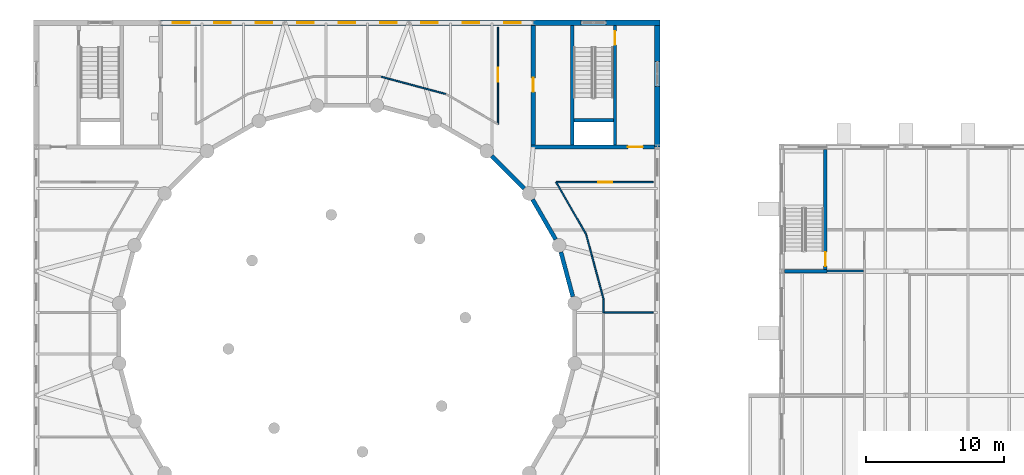
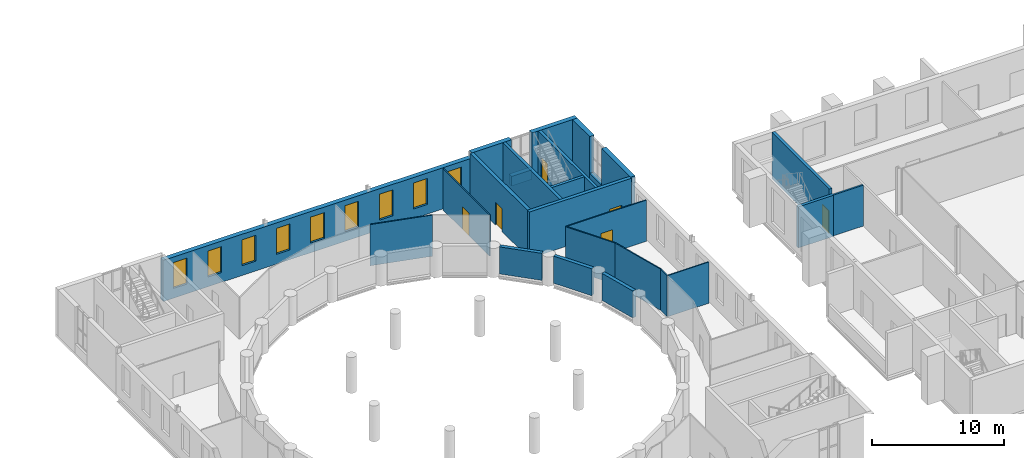
# One storey, part 86 of 134: 25 walls, 9 windows, 6 doors, 15 openings.
"""IFC4 building model written with IfcOpenShell, lengths in metres."""

from ifc_helpers import new_model, si_unit, direction, frame, frame_2d, origin, place, context, subcontext, project, spatial, rectangle, extrude, material, layer, layer_set, type_object, element, fill, save


model = new_model("IFC4")

# Units and contexts
model_context = context("Model", 3, precision=1e-05, world=origin(), true_north=direction((0.0, 1.0)))
body_context = subcontext(model_context, "Body", "Model", "MODEL_VIEW")
ifc_project = project(units=[si_unit("LENGTHUNIT", "METRE"), si_unit("AREAUNIT", "SQUARE_METRE"), si_unit("VOLUMEUNIT", "CUBIC_METRE"), si_unit("PLANEANGLEUNIT", "RADIAN"), si_unit("MASSUNIT", "GRAM", prefix="KILO")], contexts=[model_context])

# Site, building, storey
site_placement = place(None, origin())
site = spatial("IfcSite", under=ifc_project, at=site_placement, CompositionType="ELEMENT")
building_placement = place(site_placement, origin())
building = spatial("IfcBuilding", under=site, at=building_placement, Name="Golden Quay Civic Hall", CompositionType="ELEMENT")
storey_placement = place(building_placement, frame((0.0, 0.0, 5.39990234375)))
storey = spatial("IfcBuildingStorey", under=building, at=storey_placement, Name="L01", CompositionType="ELEMENT", Elevation=5.39990234375)

# Wall, opening, door
ifc_material_1 = material(Name="Concrete C40/50", Category="concrete")
ifc_layer_1 = layer(ifc_material_1, 0.25)
ifc_layer_set_1 = layer_set([ifc_layer_1], Name="Concrete core wall 250, Concrete C40/50")
wall_type_1 = type_object("IfcWallType", Name="Concrete core wall 250", PredefinedType="SHEAR", material=ifc_layer_set_1)
wall_1_placement = place(storey_placement, frame((120.175048828125, 90.125, 0.0), z_axis=(0.0, 0.0, 1.0), x_axis=(0.0, 1.0, 0.0)))
wall_1 = element("IfcWall", 1, at=wall_1_placement, inside=storey, type_object=wall_type_1, Name="L01 core wall N stair east", PredefinedType="SHEAR", context=body_context, shape_type="SweptSolid", body=[
    extrude(rectangle(XDim=8.675048828125, YDim=0.25, at=frame_2d((4.33740234375, 0.0))), origin(), (0.0, 0.0, 1.0), 4.300048828125),
])
opening_1_placement = place(wall_1_placement, frame((0.25, 0.0, 0.0)))
opening_1 = element("IfcOpeningElement", 2, at=opening_1_placement, cuts=wall_1, Name="Opening L01-D222", PredefinedType="OPENING", context=body_context, shape_type="SweptSolid", body=[
    extrude(rectangle(XDim=1.0, YDim=2.10009765625, at=frame_2d((0.5, 1.050048828125))), frame((0.0, 0.135009765625, 0.0), z_axis=(0.0, -1.0, 0.0), x_axis=(1.0, 0.0, 0.0)), (0.0, 0.0, 1.0), 0.27001953125),
])
ifc_material_2 = material(Name="Steel", Category="steel")
door_type_1 = type_object("IfcDoorType", Name="Steel fire door FD60 1000 x 2100", OperationType="SINGLE_SWING_LEFT", PredefinedType="DOOR", material=ifc_material_2)
door_1_placement = place(opening_1_placement, frame((1.0, 0.0, 0.0), z_axis=(0.0, 0.0, 1.0), x_axis=(-1.0, 0.0, 0.0)))
door_1 = element("IfcDoor", 3, at=door_1_placement, inside=storey, type_object=door_type_1, Name="Stair door LB-N", OperationType="SINGLE_SWING_RIGHT", OverallHeight=2.10009765625, OverallWidth=1.0, PredefinedType="DOOR", context=body_context, shape_type="SweptSolid", body=[
    extrude(rectangle(XDim=1.0, YDim=2.10009765625, at=frame_2d((0.5, 1.050048828125))), frame((0.0, 0.025146484375, 0.0), z_axis=(0.0, -1.0, 0.0), x_axis=(1.0, 0.0, 0.0)), (0.0, 0.0, 1.0), 0.050048828125),
])
fill(opening_1, door_1)

# Walls
wall_2_placement = place(storey_placement, frame((117.199951171875, 90.0, 0.0), z_axis=(0.0, 0.0, 1.0), x_axis=(1.0, 0.0, 0.0)))
element("IfcWall", 4, at=wall_2_placement, inside=storey, type_object=wall_type_1, Name="L01 core wall N stair south", PredefinedType="SHEAR", context=body_context, shape_type="SweptSolid", body=[
    extrude(rectangle(XDim=3.10009765625, YDim=0.25, at=frame_2d((1.550048828125, 0.0))), origin(), (0.0, 0.0, 1.0), 3.800048828125),
])
ifc_material_3 = material(Name="Plasterboard on steel studs", Category="steel")
ifc_layer_2 = layer(ifc_material_3, 0.10009765625)
ifc_layer_set_2 = layer_set([ifc_layer_2], Name="Partition 100 stud")
wall_type_2 = type_object("IfcWallType", Name="Partition 100 stud", PredefinedType="PARTITIONING", material=ifc_layer_set_2)
wall_3_placement = place(storey_placement, frame((107.679931640625, 87.0, 0.0), z_axis=(0.0, 0.0, 1.0), x_axis=(-1.0, 0.0, 0.0)))
element("IfcWall", 5, at=wall_3_placement, inside=storey, type_object=wall_type_2, Name="Partition 35", PredefinedType="PARTITIONING", context=body_context, shape_type="SweptSolid", body=[
    extrude(rectangle(XDim=3.579833984375, YDim=0.10009765625, at=frame_2d((1.7900390625, 0.0))), origin(), (0.0, 0.0, 1.0), 3.81005859375),
])
ifc_material_4 = material(Name="Gypsum board on steel stud", Category="steel")
ifc_layer_3 = layer(ifc_material_4, 0.10009765625)
ifc_layer_set_3 = layer_set([ifc_layer_3], Name="Partition 100 stud fire EI 60")
wall_type_3 = type_object("IfcWallType", Name="Partition 100 stud fire EI 60", PredefinedType="PARTITIONING", material=ifc_layer_set_3)
wall_4_placement = place(storey_placement, frame((87.94873046875, 104.10009765625, 0.0), z_axis=(0.0, 0.0, 1.0), x_axis=(0.965923128678, -0.258829112515, 0.0)))
element("IfcWall", 6, at=wall_4_placement, inside=storey, type_object=wall_type_3, Name="Partition 29", PredefinedType="PARTITIONING", context=body_context, shape_type="SweptSolid", body=[
    extrude(rectangle(XDim=4.8974609375, YDim=0.10009765625, at=frame_2d((2.44873046875, 0.0))), origin(), (0.0, 0.0, 1.0), 3.81005859375),
])

# Wall, opening, door
wall_5_placement = place(storey_placement, frame((96.449951171875, 100.655517578125, 0.0), z_axis=(0.0, 0.0, 1.0), x_axis=(0.0, 1.0, 0.0)))
wall_5 = element("IfcWall", 7, at=wall_5_placement, inside=storey, type_object=wall_type_3, Name="Partition 31", PredefinedType="PARTITIONING", context=body_context, shape_type="SweptSolid", body=[
    extrude(rectangle(XDim=7.0244140625, YDim=0.10009765625, at=frame_2d((3.51220703125, 0.0))), origin(), (0.0, 0.0, 1.0), 3.81005859375),
])
opening_2_placement = place(wall_5_placement, frame((3.072265625, 0.0, 0.0)))
opening_2 = element("IfcOpeningElement", 8, at=opening_2_placement, cuts=wall_5, Name="Opening L01-D185", PredefinedType="OPENING", context=body_context, shape_type="SweptSolid", body=[
    extrude(rectangle(XDim=1.0, YDim=2.10009765625, at=frame_2d((0.5, 1.050048828125))), frame((0.0, 0.06005859375, 0.0), z_axis=(0.0, -1.0, 0.0), x_axis=(1.0, 0.0, 0.0)), (0.0, 0.0, 1.0), 0.1201171875),
])
ifc_material_5 = material(Name="Timber", Category="wood")
door_type_2 = type_object("IfcDoorType", Name="Timber fire door FD30S 1000 x 2100", OperationType="SINGLE_SWING_LEFT", PredefinedType="DOOR", material=ifc_material_5)
door_2_placement = place(opening_2_placement, origin())
door_2 = element("IfcDoor", 9, at=door_2_placement, inside=storey, type_object=door_type_2, Name="Door Large Committee Room 2", OperationType="SINGLE_SWING_LEFT", OverallHeight=2.10009765625, OverallWidth=1.0, PredefinedType="DOOR", context=body_context, shape_type="SweptSolid", body=[
    extrude(rectangle(XDim=1.0, YDim=2.10009765625, at=frame_2d((0.5, 1.050048828125))), frame((0.0, 0.02490234375, 0.0), z_axis=(0.0, -1.0, 0.0), x_axis=(1.0, 0.0, 0.0)), (0.0, 0.0, 1.0), 0.050048828125),
])
fill(opening_2, door_2)

wall_6_placement = place(storey_placement, frame((107.679931640625, 96.449951171875, 0.0), z_axis=(0.0, 0.0, 1.0), x_axis=(-1.0, 0.0, 0.0)))
wall_6 = element("IfcWall", 10, at=wall_6_placement, inside=storey, type_object=wall_type_3, Name="Partition 39", PredefinedType="PARTITIONING", context=body_context, shape_type="SweptSolid", body=[
    extrude(rectangle(XDim=7.0244140625, YDim=0.10009765625, at=frame_2d((3.51220703125, 0.0))), origin(), (0.0, 0.0, 1.0), 3.81005859375),
])
opening_3_placement = place(wall_6_placement, frame((2.952392578125, 0.0, 0.0)))
opening_3 = element("IfcOpeningElement", 11, at=opening_3_placement, cuts=wall_6, Name="Opening L01-D188", PredefinedType="OPENING", context=body_context, shape_type="SweptSolid", body=[
    extrude(rectangle(XDim=1.0, YDim=2.10009765625, at=frame_2d((0.5, 1.050048828125))), frame((0.0, 0.06005859375, 0.0), z_axis=(0.0, -1.0, 0.0), x_axis=(1.0, 0.0, 0.0)), (0.0, 0.0, 1.0), 0.1201171875),
])
door_3_placement = place(opening_3_placement, origin())
door_3 = element("IfcDoor", 12, at=door_3_placement, inside=storey, type_object=door_type_2, Name="Door Chamber Clerks' Office 4", OperationType="SINGLE_SWING_LEFT", OverallHeight=2.10009765625, OverallWidth=1.0, PredefinedType="DOOR", context=body_context, shape_type="SweptSolid", body=[
    extrude(rectangle(XDim=1.0, YDim=2.10009765625, at=frame_2d((0.5, 1.050048828125))), frame((0.0, 0.02490234375, 0.0), z_axis=(0.0, -1.0, 0.0), x_axis=(1.0, 0.0, 0.0)), (0.0, 0.0, 1.0), 0.050048828125),
])
fill(opening_3, door_3)

# Walls
wall_7_placement = place(storey_placement, frame((100.655517578125, 96.449951171875, 0.0), z_axis=(0.0, 0.0, 1.0), x_axis=(0.499992644437, -0.866029650479, 0.0)))
element("IfcWall", 13, at=wall_7_placement, inside=storey, type_object=wall_type_3, Name="Partition 40", PredefinedType="PARTITIONING", context=body_context, shape_type="SweptSolid", body=[
    extrude(rectangle(XDim=4.35400390625, YDim=0.10009765625, at=frame_2d((2.177001953125, 0.0))), origin(), (0.0, 0.0, 1.0), 3.81005859375),
])
wall_8_placement = place(storey_placement, frame((102.83251953125, 92.67919921875, 0.0), z_axis=(0.0, 0.0, 1.0), x_axis=(0.258829112515, -0.965923128678, 0.0)))
element("IfcWall", 14, at=wall_8_placement, inside=storey, type_object=wall_type_3, Name="Partition 41", PredefinedType="PARTITIONING", context=body_context, shape_type="SweptSolid", body=[
    extrude(rectangle(XDim=4.8974609375, YDim=0.10009765625, at=frame_2d((2.44873046875, 0.0))), origin(), (0.0, 0.0, 1.0), 3.81005859375),
])
wall_9_placement = place(storey_placement, frame((104.10009765625, 87.94873046875, 0.0), z_axis=(0.0, 0.0, 1.0), x_axis=(0.0, -1.0, 0.0)))
element("IfcWall", 15, at=wall_9_placement, inside=storey, type_object=wall_type_3, Name="Partition 42", PredefinedType="PARTITIONING", context=body_context, shape_type="SweptSolid", body=[
    extrude(rectangle(XDim=0.96875, YDim=0.10009765625, at=frame_2d((0.484375, 0.0))), origin(), (0.0, 0.0, 1.0), 3.81005859375),
])
ifc_material_6 = material(Name="Plasterboard on steel studs", Category="steel")
ifc_layer_4 = layer(ifc_material_6, 0.14990234375)
ifc_layer_set_4 = layer_set([ifc_layer_4], Name="Partition 150 stud fire EI 60")
wall_type_4 = type_object("IfcWallType", Name="Partition 150 stud fire EI 60", PredefinedType="PARTITIONING", material=ifc_layer_set_4)
wall_10_placement = place(storey_placement, frame((120.300048828125, 90.0, 0.0), z_axis=(0.0, 0.0, 1.0), x_axis=(1.0, 0.0, 0.0)))
element("IfcWall", 16, at=wall_10_placement, inside=storey, type_object=wall_type_4, Name="L01 partition H27-3.30", PredefinedType="PARTITIONING", context=body_context, shape_type="SweptSolid", body=[
    extrude(rectangle(XDim=2.625, YDim=0.14990234375, at=frame_2d((1.3125, 0.0))), origin(), (0.0, 0.0, 1.0), 3.780029296875),
])

# Wall, opening, door
ifc_material_7 = material(Name="Concrete C40/50", Category="concrete")
ifc_layer_5 = layer(ifc_material_7, 0.300048828125)
ifc_layer_set_5 = layer_set([ifc_layer_5], Name="Reinforced concrete core wall 300, Concrete C40/50")
wall_type_5 = type_object("IfcWallType", Name="Reinforced concrete core wall 300", PredefinedType="SHEAR", material=ifc_layer_set_5)
wall_11_placement = place(storey_placement, frame((107.800048828125, 99.0, 0.0), z_axis=(0.0, 0.0, 1.0), x_axis=(-1.0, 0.0, 0.0)))
wall_11 = element("IfcWall", 17, at=wall_11_placement, inside=storey, type_object=wall_type_5, Name="Core wall NE A", PredefinedType="SHEAR", context=body_context, shape_type="SweptSolid", body=[
    extrude(rectangle(XDim=8.949951171875, YDim=0.300048828125, at=frame_2d((4.47509765625, 0.0))), origin(), (0.0, 0.0, 1.0), 4.300048828125),
])
opening_4_placement = place(wall_11_placement, frame((0.85009765625, 0.0, 0.0)))
opening_4 = element("IfcOpeningElement", 18, at=opening_4_placement, cuts=wall_11, Name="Opening L01-D176", PredefinedType="OPENING", context=body_context, shape_type="SweptSolid", body=[
    extrude(rectangle(XDim=1.10009765625, YDim=2.10009765625, at=frame_2d((0.550048828125, 1.050048828125))), frame((0.0, 0.159912109375, 0.0), z_axis=(0.0, -1.0, 0.0), x_axis=(1.0, 0.0, 0.0)), (0.0, 0.0, 1.0), 0.320068359375),
])
ifc_material_8 = material(Name="Steel", Category="steel")
door_type_3 = type_object("IfcDoorType", Name="Steel fire door FD60 1100 x 2100", OperationType="SINGLE_SWING_LEFT", PredefinedType="DOOR", material=ifc_material_8)
door_4_placement = place(opening_4_placement, origin())
door_4 = element("IfcDoor", 19, at=door_4_placement, inside=storey, type_object=door_type_3, Name="Core lobby door NE", OperationType="SINGLE_SWING_LEFT", OverallHeight=2.10009765625, OverallWidth=1.10009765625, PredefinedType="DOOR", context=body_context, shape_type="SweptSolid", body=[
    extrude(rectangle(XDim=1.10009765625, YDim=2.10009765625, at=frame_2d((0.550048828125, 1.050048828125))), frame((0.0, 0.02490234375, 0.0), z_axis=(0.0, -1.0, 0.0), x_axis=(1.0, 0.0, 0.0)), (0.0, 0.0, 1.0), 0.050048828125),
])
fill(opening_4, door_4)

wall_12_placement = place(storey_placement, frame((99.0, 107.800048828125, 0.0), z_axis=(0.0, 0.0, 1.0), x_axis=(0.0, -1.0, 0.0)))
wall_12 = element("IfcWall", 20, at=wall_12_placement, inside=storey, type_object=wall_type_5, Name="Core wall NE B", PredefinedType="SHEAR", context=body_context, shape_type="SweptSolid", body=[
    extrude(rectangle(XDim=8.650146484375, YDim=0.300048828125, at=frame_2d((4.3251953125, 0.0))), origin(), (0.0, 0.0, 1.0), 4.300048828125),
])
opening_5_placement = place(wall_12_placement, frame((3.800048828125, 0.0, 0.0)))
opening_5 = element("IfcOpeningElement", 21, at=opening_5_placement, cuts=wall_12, Name="Opening L01-D177", PredefinedType="OPENING", context=body_context, shape_type="SweptSolid", body=[
    extrude(rectangle(XDim=1.0, YDim=2.10009765625, at=frame_2d((0.5, 1.050048828125))), frame((0.0, 0.159912109375, 0.0), z_axis=(0.0, -1.0, 0.0), x_axis=(1.0, 0.0, 0.0)), (0.0, 0.0, 1.0), 0.320068359375),
])
door_5_placement = place(opening_5_placement, origin())
door_5 = element("IfcDoor", 22, at=door_5_placement, inside=storey, type_object=door_type_1, Name="Service door NE", OperationType="SINGLE_SWING_LEFT", OverallHeight=2.10009765625, OverallWidth=1.0, PredefinedType="DOOR", context=body_context, shape_type="SweptSolid", body=[
    extrude(rectangle(XDim=1.0, YDim=2.10009765625, at=frame_2d((0.5, 1.050048828125))), frame((0.0, 0.02490234375, 0.0), z_axis=(0.0, -1.0, 0.0), x_axis=(1.0, 0.0, 0.0)), (0.0, 0.0, 1.0), 0.050048828125),
])
fill(opening_5, door_5)

ifc_material_9 = material(Name="Concrete C40/50", Category="concrete")
ifc_layer_6 = layer(ifc_material_9, 0.25)
ifc_layer_set_6 = layer_set([ifc_layer_6], Name="Reinforced concrete shaft wall 250, Concrete C40/50")
wall_type_6 = type_object("IfcWallType", Name="Reinforced concrete shaft wall 250", PredefinedType="SHEAR", material=ifc_layer_set_6)
wall_13_placement = place(storey_placement, frame((104.925048828125, 107.800048828125, 0.0), z_axis=(0.0, 0.0, 1.0), x_axis=(0.0, -1.0, 0.0)))
wall_13 = element("IfcWall", 23, at=wall_13_placement, inside=storey, type_object=wall_type_6, Name="Shaft wall NE 1", PredefinedType="SHEAR", context=body_context, shape_type="SweptSolid", body=[
    extrude(rectangle(XDim=8.650146484375, YDim=0.25, at=frame_2d((4.3251953125, 0.0))), origin(), (0.0, 0.0, 1.0), 4.300048828125),
])
opening_6_placement = place(wall_13_placement, frame((0.39990234375, 0.0, 0.0)))
opening_6 = element("IfcOpeningElement", 24, at=opening_6_placement, cuts=wall_13, Name="Opening L01-D175", PredefinedType="OPENING", context=body_context, shape_type="SweptSolid", body=[
    extrude(rectangle(XDim=1.0, YDim=2.10009765625, at=frame_2d((0.5, 1.050048828125))), frame((0.0, 0.135009765625, 0.0), z_axis=(0.0, -1.0, 0.0), x_axis=(1.0, 0.0, 0.0)), (0.0, 0.0, 1.0), 0.27001953125),
])
door_6_placement = place(opening_6_placement, frame((1.0, 0.0, 0.0), z_axis=(0.0, 0.0, 1.0), x_axis=(-1.0, 0.0, 0.0)))
door_6 = element("IfcDoor", 25, at=door_6_placement, inside=storey, type_object=door_type_3, Name="Stair door NE", OperationType="SINGLE_SWING_RIGHT", OverallHeight=2.10009765625, OverallWidth=1.0, PredefinedType="DOOR", context=body_context, shape_type="SweptSolid", body=[
    extrude(rectangle(XDim=1.0, YDim=2.10009765625, at=frame_2d((0.5, 1.050048828125))), frame((0.0, 0.025146484375, 0.0), z_axis=(0.0, -1.0, 0.0), x_axis=(1.0, 0.0, 0.0)), (0.0, 0.0, 1.0), 0.050048828125),
])
fill(opening_6, door_6)

# Walls
wall_14_placement = place(storey_placement, frame((101.824951171875, 107.800048828125, 0.0), z_axis=(0.0, 0.0, 1.0), x_axis=(0.0, -1.0, 0.0)))
element("IfcWall", 26, at=wall_14_placement, inside=storey, type_object=wall_type_6, Name="Shaft wall NE 2", PredefinedType="SHEAR", context=body_context, shape_type="SweptSolid", body=[
    extrude(rectangle(XDim=8.650146484375, YDim=0.25, at=frame_2d((4.3251953125, 0.0))), origin(), (0.0, 0.0, 1.0), 4.300048828125),
])
wall_15_placement = place(storey_placement, frame((104.800048828125, 100.925048828125, 0.0), z_axis=(0.0, 0.0, 1.0), x_axis=(-1.0, 0.0, 0.0)))
element("IfcWall", 27, at=wall_15_placement, inside=storey, type_object=wall_type_6, Name="Shaft wall NE 3", PredefinedType="SHEAR", context=body_context, shape_type="SweptSolid", body=[
    extrude(rectangle(XDim=2.85009765625, YDim=0.25, at=frame_2d((1.425048828125, 0.0))), origin(), (0.0, 0.0, 1.0), 4.300048828125),
])

# Wall, openings, windows
ifc_material_10 = material(Name="Brick masonry with render", Category="masonry")
ifc_layer_7 = layer(ifc_material_10, 0.39990234375)
ifc_layer_set_7 = layer_set([ifc_layer_7], Name="Rendered brick external wall 400")
wall_type_7 = type_object("IfcWallType", Name="Rendered brick external wall 400", PredefinedType="STANDARD", material=ifc_layer_set_7)
wall_16_placement = place(storey_placement, frame((72.0, 108.0, 0.0), z_axis=(0.0, 0.0, 1.0), x_axis=(1.0, 0.0, 0.0)))
wall_16 = element("IfcWall", 28, at=wall_16_placement, inside=storey, type_object=wall_type_7, Name="Base wall N 72", PredefinedType="STANDARD", context=body_context, shape_type="SweptSolid", body=[
    extrude(rectangle(XDim=27.0, YDim=0.39990234375, at=frame_2d((13.5, 0.0))), origin(), (0.0, 0.0, 1.0), 3.81005859375),
])
opening_7_placement = place(wall_16_placement, frame((0.89990234375, 0.0, 0.89990234375)))
opening_7 = element("IfcOpeningElement", 29, at=opening_7_placement, cuts=wall_16, Name="Opening WN7", PredefinedType="OPENING", context=body_context, shape_type="SweptSolid", body=[
    extrude(rectangle(XDim=1.199951171875, YDim=2.39990234375, at=frame_2d((0.60009765625, 1.199951171875))), frame((0.0, 0.2099609375, 0.0), z_axis=(0.0, -1.0, 0.0), x_axis=(1.0, 0.0, 0.0)), (0.0, 0.0, 1.0), 0.419921875),
])
opening_8_placement = place(wall_16_placement, frame((3.89990234375, 0.0, 0.89990234375)))
opening_8 = element("IfcOpeningElement", 30, at=opening_8_placement, cuts=wall_16, Name="Opening WN7", PredefinedType="OPENING", context=body_context, shape_type="SweptSolid", body=[
    extrude(rectangle(XDim=1.199951171875, YDim=2.39990234375, at=frame_2d((0.60009765625, 1.199951171875))), frame((0.0, 0.2099609375, 0.0), z_axis=(0.0, -1.0, 0.0), x_axis=(1.0, 0.0, 0.0)), (0.0, 0.0, 1.0), 0.419921875),
])
opening_9_placement = place(wall_16_placement, frame((6.89990234375, 0.0, 0.89990234375)))
opening_9 = element("IfcOpeningElement", 31, at=opening_9_placement, cuts=wall_16, Name="Opening WN7", PredefinedType="OPENING", context=body_context, shape_type="SweptSolid", body=[
    extrude(rectangle(XDim=1.199951171875, YDim=2.39990234375, at=frame_2d((0.60009765625, 1.199951171875))), frame((0.0, 0.2099609375, 0.0), z_axis=(0.0, -1.0, 0.0), x_axis=(1.0, 0.0, 0.0)), (0.0, 0.0, 1.0), 0.419921875),
])
opening_10_placement = place(wall_16_placement, frame((9.89990234375, 0.0, 0.89990234375)))
opening_10 = element("IfcOpeningElement", 32, at=opening_10_placement, cuts=wall_16, Name="Opening WN7", PredefinedType="OPENING", context=body_context, shape_type="SweptSolid", body=[
    extrude(rectangle(XDim=1.199951171875, YDim=2.39990234375, at=frame_2d((0.60009765625, 1.199951171875))), frame((0.0, 0.2099609375, 0.0), z_axis=(0.0, -1.0, 0.0), x_axis=(1.0, 0.0, 0.0)), (0.0, 0.0, 1.0), 0.419921875),
])
opening_11_placement = place(wall_16_placement, frame((12.89990234375, 0.0, 0.89990234375)))
opening_11 = element("IfcOpeningElement", 33, at=opening_11_placement, cuts=wall_16, Name="Opening WN7", PredefinedType="OPENING", context=body_context, shape_type="SweptSolid", body=[
    extrude(rectangle(XDim=1.199951171875, YDim=2.39990234375, at=frame_2d((0.60009765625, 1.199951171875))), frame((0.0, 0.2099609375, 0.0), z_axis=(0.0, -1.0, 0.0), x_axis=(1.0, 0.0, 0.0)), (0.0, 0.0, 1.0), 0.419921875),
])
opening_12_placement = place(wall_16_placement, frame((15.89990234375, 0.0, 0.89990234375)))
opening_12 = element("IfcOpeningElement", 34, at=opening_12_placement, cuts=wall_16, Name="Opening WN7", PredefinedType="OPENING", context=body_context, shape_type="SweptSolid", body=[
    extrude(rectangle(XDim=1.199951171875, YDim=2.39990234375, at=frame_2d((0.60009765625, 1.199951171875))), frame((0.0, 0.2099609375, 0.0), z_axis=(0.0, -1.0, 0.0), x_axis=(1.0, 0.0, 0.0)), (0.0, 0.0, 1.0), 0.419921875),
])
opening_13_placement = place(wall_16_placement, frame((18.89990234375, 0.0, 0.89990234375)))
opening_13 = element("IfcOpeningElement", 35, at=opening_13_placement, cuts=wall_16, Name="Opening WN7", PredefinedType="OPENING", context=body_context, shape_type="SweptSolid", body=[
    extrude(rectangle(XDim=1.199951171875, YDim=2.39990234375, at=frame_2d((0.60009765625, 1.199951171875))), frame((0.0, 0.2099609375, 0.0), z_axis=(0.0, -1.0, 0.0), x_axis=(1.0, 0.0, 0.0)), (0.0, 0.0, 1.0), 0.419921875),
])
opening_14_placement = place(wall_16_placement, frame((21.89990234375, 0.0, 0.89990234375)))
opening_14 = element("IfcOpeningElement", 36, at=opening_14_placement, cuts=wall_16, Name="Opening WN7", PredefinedType="OPENING", context=body_context, shape_type="SweptSolid", body=[
    extrude(rectangle(XDim=1.199951171875, YDim=2.39990234375, at=frame_2d((0.60009765625, 1.199951171875))), frame((0.0, 0.2099609375, 0.0), z_axis=(0.0, -1.0, 0.0), x_axis=(1.0, 0.0, 0.0)), (0.0, 0.0, 1.0), 0.419921875),
])
opening_15_placement = place(wall_16_placement, frame((24.89990234375, 0.0, 0.89990234375)))
opening_15 = element("IfcOpeningElement", 37, at=opening_15_placement, cuts=wall_16, Name="Opening WN7", PredefinedType="OPENING", context=body_context, shape_type="SweptSolid", body=[
    extrude(rectangle(XDim=1.199951171875, YDim=2.39990234375, at=frame_2d((0.60009765625, 1.199951171875))), frame((0.0, 0.2099609375, 0.0), z_axis=(0.0, -1.0, 0.0), x_axis=(1.0, 0.0, 0.0)), (0.0, 0.0, 1.0), 0.419921875),
])
ifc_material_11 = material(Name="Aluminium frame, double glazed", Category="aluminium")
window_type = type_object("IfcWindowType", Name="Window 1200 x 2400", PartitioningType="SINGLE_PANEL", PredefinedType="WINDOW", material=ifc_material_11)
window_1_placement = place(opening_7_placement, origin())
window_1 = element("IfcWindow", 38, at=window_1_placement, inside=storey, type_object=window_type, Name="Window N1", OverallHeight=2.39990234375, OverallWidth=1.199951171875, PartitioningType="SINGLE_PANEL", PredefinedType="WINDOW", context=body_context, shape_type="SweptSolid", body=[
    extrude(rectangle(XDim=1.199951171875, YDim=2.39990234375, at=frame_2d((0.60009765625, 1.199951171875))), frame((0.0, 0.030029296875, 0.0), z_axis=(0.0, -1.0, 0.0), x_axis=(1.0, 0.0, 0.0)), (0.0, 0.0, 1.0), 0.06005859375),
])
fill(opening_7, window_1)
window_2_placement = place(opening_8_placement, origin())
window_2 = element("IfcWindow", 39, at=window_2_placement, inside=storey, type_object=window_type, Name="Window N2", OverallHeight=2.39990234375, OverallWidth=1.199951171875, PartitioningType="SINGLE_PANEL", PredefinedType="WINDOW", context=body_context, shape_type="SweptSolid", body=[
    extrude(rectangle(XDim=1.199951171875, YDim=2.39990234375, at=frame_2d((0.60009765625, 1.199951171875))), frame((0.0, 0.030029296875, 0.0), z_axis=(0.0, -1.0, 0.0), x_axis=(1.0, 0.0, 0.0)), (0.0, 0.0, 1.0), 0.06005859375),
])
fill(opening_8, window_2)
window_3_placement = place(opening_9_placement, origin())
window_3 = element("IfcWindow", 40, at=window_3_placement, inside=storey, type_object=window_type, Name="Window N3", OverallHeight=2.39990234375, OverallWidth=1.199951171875, PartitioningType="SINGLE_PANEL", PredefinedType="WINDOW", context=body_context, shape_type="SweptSolid", body=[
    extrude(rectangle(XDim=1.199951171875, YDim=2.39990234375, at=frame_2d((0.60009765625, 1.199951171875))), frame((0.0, 0.030029296875, 0.0), z_axis=(0.0, -1.0, 0.0), x_axis=(1.0, 0.0, 0.0)), (0.0, 0.0, 1.0), 0.06005859375),
])
fill(opening_9, window_3)
window_4_placement = place(opening_10_placement, origin())
window_4 = element("IfcWindow", 41, at=window_4_placement, inside=storey, type_object=window_type, Name="Window N4", OverallHeight=2.39990234375, OverallWidth=1.199951171875, PartitioningType="SINGLE_PANEL", PredefinedType="WINDOW", context=body_context, shape_type="SweptSolid", body=[
    extrude(rectangle(XDim=1.199951171875, YDim=2.39990234375, at=frame_2d((0.60009765625, 1.199951171875))), frame((0.0, 0.030029296875, 0.0), z_axis=(0.0, -1.0, 0.0), x_axis=(1.0, 0.0, 0.0)), (0.0, 0.0, 1.0), 0.06005859375),
])
fill(opening_10, window_4)
window_5_placement = place(opening_11_placement, origin())
window_5 = element("IfcWindow", 42, at=window_5_placement, inside=storey, type_object=window_type, Name="Window N5", OverallHeight=2.39990234375, OverallWidth=1.199951171875, PartitioningType="SINGLE_PANEL", PredefinedType="WINDOW", context=body_context, shape_type="SweptSolid", body=[
    extrude(rectangle(XDim=1.199951171875, YDim=2.39990234375, at=frame_2d((0.60009765625, 1.199951171875))), frame((0.0, 0.030029296875, 0.0), z_axis=(0.0, -1.0, 0.0), x_axis=(1.0, 0.0, 0.0)), (0.0, 0.0, 1.0), 0.06005859375),
])
fill(opening_11, window_5)
window_6_placement = place(opening_12_placement, origin())
window_6 = element("IfcWindow", 43, at=window_6_placement, inside=storey, type_object=window_type, Name="Window N6", OverallHeight=2.39990234375, OverallWidth=1.199951171875, PartitioningType="SINGLE_PANEL", PredefinedType="WINDOW", context=body_context, shape_type="SweptSolid", body=[
    extrude(rectangle(XDim=1.199951171875, YDim=2.39990234375, at=frame_2d((0.60009765625, 1.199951171875))), frame((0.0, 0.030029296875, 0.0), z_axis=(0.0, -1.0, 0.0), x_axis=(1.0, 0.0, 0.0)), (0.0, 0.0, 1.0), 0.06005859375),
])
fill(opening_12, window_6)
window_7_placement = place(opening_13_placement, origin())
window_7 = element("IfcWindow", 44, at=window_7_placement, inside=storey, type_object=window_type, Name="Window N7", OverallHeight=2.39990234375, OverallWidth=1.199951171875, PartitioningType="SINGLE_PANEL", PredefinedType="WINDOW", context=body_context, shape_type="SweptSolid", body=[
    extrude(rectangle(XDim=1.199951171875, YDim=2.39990234375, at=frame_2d((0.60009765625, 1.199951171875))), frame((0.0, 0.030029296875, 0.0), z_axis=(0.0, -1.0, 0.0), x_axis=(1.0, 0.0, 0.0)), (0.0, 0.0, 1.0), 0.06005859375),
])
fill(opening_13, window_7)
window_8_placement = place(opening_14_placement, origin())
window_8 = element("IfcWindow", 45, at=window_8_placement, inside=storey, type_object=window_type, Name="Window N8", OverallHeight=2.39990234375, OverallWidth=1.199951171875, PartitioningType="SINGLE_PANEL", PredefinedType="WINDOW", context=body_context, shape_type="SweptSolid", body=[
    extrude(rectangle(XDim=1.199951171875, YDim=2.39990234375, at=frame_2d((0.60009765625, 1.199951171875))), frame((0.0, 0.030029296875, 0.0), z_axis=(0.0, -1.0, 0.0), x_axis=(1.0, 0.0, 0.0)), (0.0, 0.0, 1.0), 0.06005859375),
])
fill(opening_14, window_8)
window_9_placement = place(opening_15_placement, origin())
window_9 = element("IfcWindow", 46, at=window_9_placement, inside=storey, type_object=window_type, Name="Window N9", OverallHeight=2.39990234375, OverallWidth=1.199951171875, PartitioningType="SINGLE_PANEL", PredefinedType="WINDOW", context=body_context, shape_type="SweptSolid", body=[
    extrude(rectangle(XDim=1.199951171875, YDim=2.39990234375, at=frame_2d((0.60009765625, 1.199951171875))), frame((0.0, 0.030029296875, 0.0), z_axis=(0.0, -1.0, 0.0), x_axis=(1.0, 0.0, 0.0)), (0.0, 0.0, 1.0), 0.06005859375),
])
fill(opening_15, window_9)

# Walls
ifc_material_12 = material(Name="Brick masonry with render", Category="masonry")
ifc_layer_8 = layer(ifc_material_12, 0.39990234375)
ifc_layer_set_8 = layer_set([ifc_layer_8], Name="Rendered brick external wall 400 fire EI 120")
wall_type_8 = type_object("IfcWallType", Name="Rendered brick external wall 400 fire EI 120", PredefinedType="STANDARD", material=ifc_layer_set_8)
wall_17_placement = place(storey_placement, frame((99.0, 108.0, 0.0), z_axis=(0.0, 0.0, 1.0), x_axis=(1.0, 0.0, 0.0)))
element("IfcWall", 47, at=wall_17_placement, inside=storey, type_object=wall_type_8, Name="Base wall N 99", PredefinedType="STANDARD", context=body_context, shape_type="SweptSolid", body=[
    extrude(rectangle(XDim=3.47509765625, YDim=0.39990234375, at=frame_2d((1.737548828125, 0.0))), origin(), (0.0, 0.0, 1.0), 4.300048828125),
])
wall_18_placement = place(storey_placement, frame((104.27490234375, 108.0, 0.0), z_axis=(0.0, 0.0, 1.0), x_axis=(1.0, 0.0, 0.0)))
element("IfcWall", 48, at=wall_18_placement, inside=storey, type_object=wall_type_8, Name="Base wall N 99 (beyond the bay)", PredefinedType="STANDARD", context=body_context, shape_type="SweptSolid", body=[
    extrude(rectangle(XDim=3.925048828125, YDim=0.39990234375, at=frame_2d((1.96240234375, 0.0))), origin(), (0.0, 0.0, 1.0), 4.300048828125),
])
wall_19_placement = place(storey_placement, frame((102.47509765625, 108.0, 0.0), z_axis=(0.0, 0.0, 1.0), x_axis=(1.0, 0.0, 0.0)))
element("IfcWall", 49, at=wall_19_placement, inside=storey, type_object=wall_type_8, Name="Base wall N 99 sill", PredefinedType="STANDARD", context=body_context, shape_type="SweptSolid", body=[
    extrude(rectangle(XDim=1.7998046875, YDim=0.39990234375, at=frame_2d((0.89990234375, 0.0))), origin(), (0.0, 0.0, 1.0), 0.900146484375),
])
wall_20_placement = place(storey_placement, frame((108.0, 99.0, 0.0), z_axis=(0.0, 0.0, 1.0), x_axis=(0.0, 1.0, 0.0)))
element("IfcWall", 50, at=wall_20_placement, inside=storey, type_object=wall_type_8, Name="Base wall E 99", PredefinedType="STANDARD", context=body_context, shape_type="SweptSolid", body=[
    extrude(rectangle(XDim=4.39990234375, YDim=0.39990234375, at=frame_2d((2.199951171875, 0.0))), origin(), (0.0, 0.0, 1.0), 4.300048828125),
])
wall_21_placement = place(storey_placement, frame((108.0, 105.199951171875, 0.0), z_axis=(0.0, 0.0, 1.0), x_axis=(0.0, 1.0, 0.0)))
element("IfcWall", 51, at=wall_21_placement, inside=storey, type_object=wall_type_8, Name="Base wall E 99 (beyond the bay)", PredefinedType="STANDARD", context=body_context, shape_type="SweptSolid", body=[
    extrude(rectangle(XDim=2.60009765625, YDim=0.39990234375, at=frame_2d((1.300048828125, 0.0))), origin(), (0.0, 0.0, 1.0), 4.300048828125),
])
wall_22_placement = place(storey_placement, frame((108.0, 103.39990234375, 0.0), z_axis=(0.0, 0.0, 1.0), x_axis=(0.0, 1.0, 0.0)))
element("IfcWall", 52, at=wall_22_placement, inside=storey, type_object=wall_type_8, Name="Base wall E 99 sill", PredefinedType="STANDARD", context=body_context, shape_type="SweptSolid", body=[
    extrude(rectangle(XDim=1.800048828125, YDim=0.39990234375, at=frame_2d((0.89990234375, 0.0))), origin(), (0.0, 0.0, 1.0), 0.900146484375),
])
ifc_material_13 = material(Name="Concrete C30/37", Category="concrete")
ifc_layer_9 = layer(ifc_material_13, 0.300048828125)
ifc_layer_set_9 = layer_set([ifc_layer_9], Name="Rotunda enclosure wall 300")
wall_type_9 = type_object("IfcWallType", Name="Rotunda enclosure wall 300", PredefinedType="PARTITIONING", material=ifc_layer_set_9)
for number, where, z_axis, x_axis, name in (
    (53, (101.87060546875, 88.1552734375, 0.0), (0.0, 0.0, 1.0), (-0.258852846257, 0.965916768663, 0.0), "Rotunda wall 1"),
    (54, (100.62548828125, 92.3017578125, 0.0), (0.0, 0.0, 1.0), (-0.49996257386, 0.866047010698, 0.0), "Rotunda wall 2"),
):
    element("IfcWall", number, at=place(storey_placement, frame(where, z_axis=z_axis, x_axis=x_axis)), inside=storey, type_object=wall_type_9, Name=name, PredefinedType="PARTITIONING", context=body_context, shape_type="SweptSolid", body=[
        extrude(rectangle(XDim=3.344482421875, YDim=0.300048828125, at=frame_2d((1.67236328125, 0.0))), origin(), (0.0, 0.0, 1.0), 2.5),
    ])
wall_23_placement = place(storey_placement, frame((98.349609375, 95.98486328125, 0.0), z_axis=(0.0, 0.0, 1.0), x_axis=(-0.707106781187, 0.707106781187, 0.0)))
element("IfcWall", 55, at=wall_23_placement, inside=storey, type_object=wall_type_9, Name="Rotunda wall 3", PredefinedType="PARTITIONING", context=body_context, shape_type="SweptSolid", body=[
    extrude(rectangle(XDim=3.34423828125, YDim=0.300048828125, at=frame_2d((1.672119140625, 0.0))), origin(), (0.0, 0.0, 1.0), 2.5),
])

save(model, "model.ifc")
